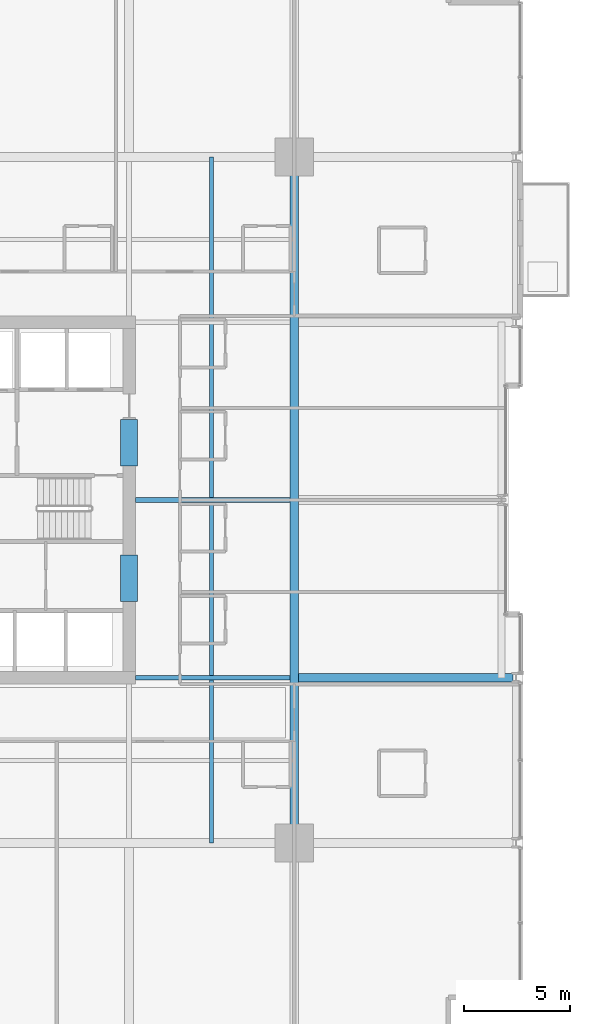
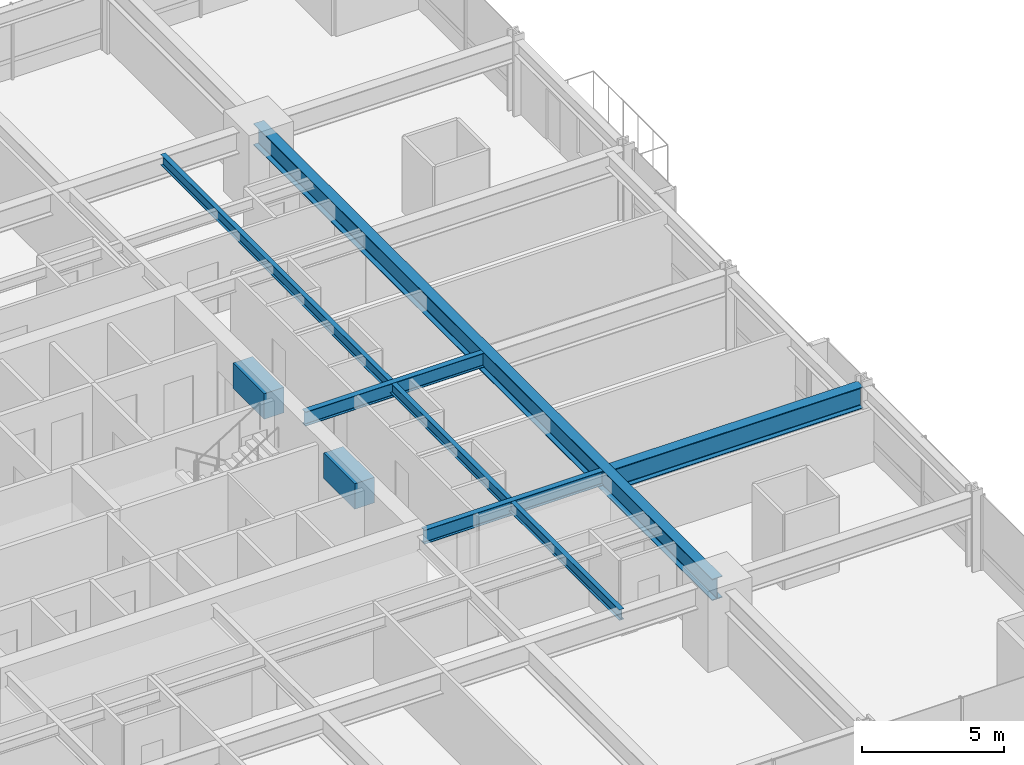
# One storey, part 15 of 38: 7 beams.
"""IFC4 building model written with IfcOpenShell, lengths in metres."""

from ifc_helpers import new_model, si_unit, direction, frame, origin, origin_2d, place, context, subcontext, project, spatial, rectangle, i_section, extrude, material, material_profile, profile_set, type_object, element, save


model = new_model("IFC4")

# Units and contexts
model_context = context("Model", 3, precision=1e-05, world=origin(), true_north=direction((0.0, 1.0)))
body_context = subcontext(model_context, "Body", "Model", "MODEL_VIEW")
ifc_project = project(units=[si_unit("LENGTHUNIT", "METRE"), si_unit("AREAUNIT", "SQUARE_METRE"), si_unit("VOLUMEUNIT", "CUBIC_METRE"), si_unit("PLANEANGLEUNIT", "RADIAN"), si_unit("MASSUNIT", "GRAM", prefix="KILO")], contexts=[model_context])

# Site, building, storey
site_placement = place(None, origin())
site = spatial("IfcSite", under=ifc_project, at=site_placement, CompositionType="ELEMENT")
building_placement = place(site_placement, origin())
building = spatial("IfcBuilding", under=site, at=building_placement, Name="Drelvath Grand Hotel", CompositionType="ELEMENT")
storey_placement = place(building_placement, frame((0.0, 0.0, 47.199951171875)))
storey = spatial("IfcBuildingStorey", under=building, at=storey_placement, Name="L10", CompositionType="ELEMENT", Elevation=47.199951171875)

# Beams
ifc_material_1 = material(Name="Steel ASTM A992 Gr 50", Category="steel")
ifc_material_profile_1 = material_profile(ifc_material_1, i_section(OverallWidth=0.19140625, OverallDepth=0.4599609375, WebThickness=0.010009765625, FlangeThickness=0.01611328125, FilletRadius=0.01611328125, at=origin_2d()), Name="W18X55")
ifc_profile_set_1 = profile_set([ifc_material_profile_1], Name="Steel ASTM A992 Gr 50")
beam_type_1 = type_object("IfcBeamType", Name="Composite Floor Joist W18X55", PredefinedType="JOIST", material=ifc_profile_set_1)
beam_1_placement = place(storey_placement, frame((12.300048828125, 10.800048828125, 3.010009765625), z_axis=(0.0, 1.0, 0.0), x_axis=(-1.0, 0.0, 0.0)))
element("IfcBeam", 1, at=beam_1_placement, inside=storey, type_object=beam_type_1, Name="L10 Wing Floor Joist J4", PredefinedType="JOIST", context=body_context, shape_type="SweptSolid", body=[
    extrude(i_section(OverallWidth=0.19140625, OverallDepth=0.4599609375, WebThickness=0.010009765625, FlangeThickness=0.01611328125, FilletRadius=0.01611328125, at=origin_2d()), origin(), (0.0, 0.0, 1.0), 32.39990234375),
])
ifc_material_2 = material(Name="Concrete f'c 70 MPa", Category="concrete")
ifc_material_profile_2 = material_profile(ifc_material_2, rectangle(XDim=0.800048828125, YDim=1.10009765625, at=origin_2d()), Name="CB800X1100")
ifc_profile_set_2 = profile_set([ifc_material_profile_2], Name="Concrete f'c 70 MPa")
beam_type_2 = type_object("IfcBeamType", Name="Core Coupling Lintel CB800X1100", PredefinedType="LINTEL", material=ifc_profile_set_2)
for number, where, z_axis, x_axis, name in (
    (2, (8.39990234375, 22.199951171875, 2.68994140625), (0.0, 1.0, 0.0), (-1.0, 0.0, 0.0), "L10 Core Coupling Lintel ES"),
    (3, (8.39990234375, 28.60009765625, 2.68994140625), (0.0, 1.0, 0.0), (-1.0, 0.0, 0.0), "L10 Core Coupling Lintel EN"),
):
    element("IfcBeam", number, at=place(storey_placement, frame(where, z_axis=z_axis, x_axis=x_axis)), inside=storey, type_object=beam_type_2, Name=name, PredefinedType="LINTEL", context=body_context, shape_type="SweptSolid", body=[
        extrude(rectangle(XDim=0.800048828125, YDim=1.10009765625, at=origin_2d()), origin(), (0.0, 0.0, 1.0), 2.199951171875),
    ])
ifc_material_profile_3 = material_profile(ifc_material_1, i_section(OverallWidth=0.228271484375, OverallDepth=0.607666015625, WebThickness=0.01123046875, FlangeThickness=0.017333984375, FilletRadius=0.02001953125, at=origin_2d()), Name="W24X76")
ifc_profile_set_3 = profile_set([ifc_material_profile_3], Name="Steel ASTM A992 Gr 50")
beam_type_3 = type_object("IfcBeamType", Name="Primary Floor Girder W24X76", PredefinedType="BEAM", material=ifc_profile_set_3)
for number, where, z_axis, x_axis, name in (
    (4, (8.699951171875, 18.60009765625, 2.936279296875), (1.0, 0.0, 0.0), (0.0, 1.0, 0.0), "L10 East Core Tie D"),
    (5, (8.699951171875, 27.0, 2.936279296875), (1.0, 0.0, 0.0), (0.0, 1.0, 0.0), "L10 East Core Tie E"),
):
    element("IfcBeam", number, at=place(storey_placement, frame(where, z_axis=z_axis, x_axis=x_axis)), inside=storey, type_object=beam_type_3, Name=name, PredefinedType="BEAM", context=body_context, shape_type="SweptSolid", body=[
        extrude(i_section(OverallWidth=0.228271484375, OverallDepth=0.607666015625, WebThickness=0.01123046875, FlangeThickness=0.017333984375, FilletRadius=0.02001953125, at=origin_2d()), origin(), (0.0, 0.0, 1.0), 7.290771484375),
    ])
ifc_material_profile_4 = material_profile(ifc_material_1, i_section(OverallWidth=0.418212890625, OverallDepth=0.926513671875, WebThickness=0.019287109375, FlangeThickness=0.031982421875, FilletRadius=0.028076171875, at=origin_2d()), Name="W36X231")
ifc_profile_set_4 = profile_set([ifc_material_profile_4], Name="Steel ASTM A992 Gr 50")
beam_type_4 = type_object("IfcBeamType", Name="Primary Floor Girder W36X231", PredefinedType="BEAM", material=ifc_profile_set_4)
beam_2_placement = place(storey_placement, frame((16.199951171875, 10.800048828125, 2.77685546875), z_axis=(0.0, 1.0, 0.0), x_axis=(-1.0, 0.0, 0.0)))
element("IfcBeam", 6, at=beam_2_placement, inside=storey, type_object=beam_type_4, Name="L10 Mega Ring Girder East", PredefinedType="BEAM", context=body_context, shape_type="SweptSolid", body=[
    extrude(i_section(OverallWidth=0.418212890625, OverallDepth=0.926513671875, WebThickness=0.019287109375, FlangeThickness=0.031982421875, FilletRadius=0.028076171875, at=origin_2d()), origin(), (0.0, 0.0, 1.0), 32.39990234375),
])
beam_3_placement = place(storey_placement, frame((16.4091796875, 18.60009765625, 2.77685546875), z_axis=(1.0, 0.0, 0.0), x_axis=(0.0, 1.0, 0.0)))
element("IfcBeam", 7, at=beam_3_placement, inside=storey, type_object=beam_type_4, Name="L10 East Wing Girder D", PredefinedType="BEAM", context=body_context, shape_type="SweptSolid", body=[
    extrude(i_section(OverallWidth=0.418212890625, OverallDepth=0.926513671875, WebThickness=0.019287109375, FlangeThickness=0.031982421875, FilletRadius=0.028076171875, at=origin_2d()), origin(), (0.0, 0.0, 1.0), 10.130859375),
])

save(model, "model.ifc")
